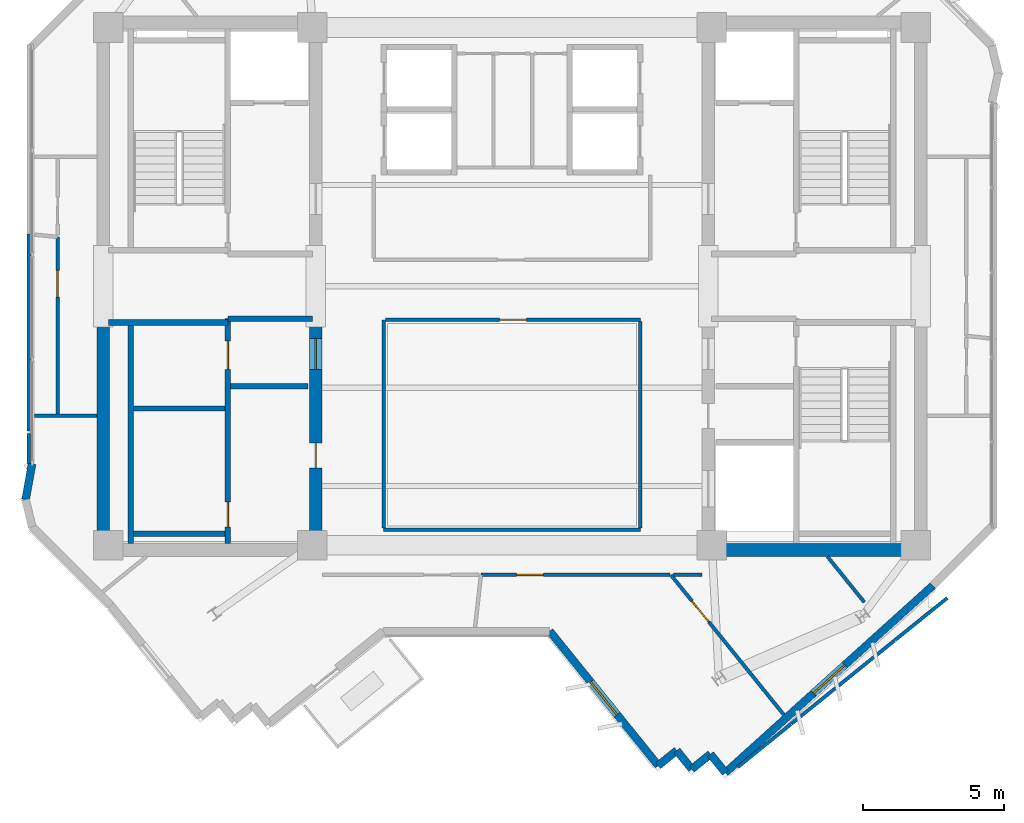
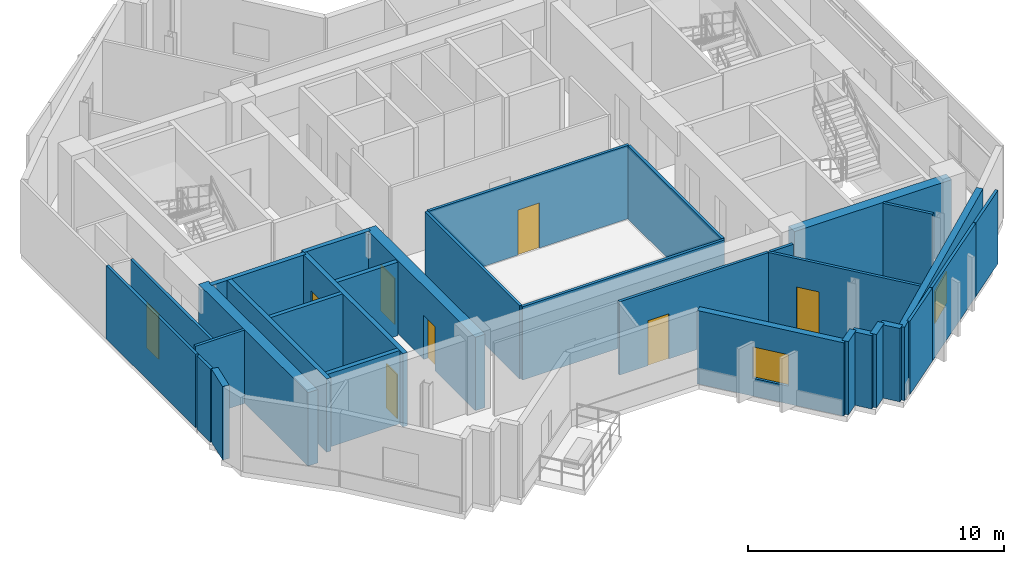
# One storey, part 6 of 11: 32 walls, 8 doors, 2 windows, 10 openings.
"""IFC4 building model written with IfcOpenShell, lengths in metres."""

from ifc_helpers import new_model, si_unit, direction, frame, frame_2d, origin, place, context, subcontext, project, spatial, rectangle, extrude, source, transform, mapped, material, layer, layer_set, type_object, element, fill, save


model = new_model("IFC4")

# Units and contexts
model_context = context("Model", 3, precision=1e-05, world=origin(), true_north=direction((0.0, 1.0)))
body_context = subcontext(model_context, "Body", "Model", "MODEL_VIEW")
ifc_project = project(units=[si_unit("LENGTHUNIT", "METRE"), si_unit("AREAUNIT", "SQUARE_METRE"), si_unit("VOLUMEUNIT", "CUBIC_METRE"), si_unit("PLANEANGLEUNIT", "RADIAN"), si_unit("MASSUNIT", "GRAM", prefix="KILO")], contexts=[model_context])

# Site, building, storey
site_placement = place(None, origin())
site = spatial("IfcSite", under=ifc_project, at=site_placement, CompositionType="ELEMENT")
building_placement = place(site_placement, origin())
building = spatial("IfcBuilding", under=site, at=building_placement, Name="Zahravan Cultural Tower", CompositionType="ELEMENT")
storey_placement = place(building_placement, frame((0.0, 0.0, 287.85009765625)))
storey = spatial("IfcBuildingStorey", under=building, at=storey_placement, Name="L69", CompositionType="ELEMENT", Elevation=287.85009765625)

# Wall, openings, doors
ifc_material_1 = material(Name="Concrete C50/60", Category="concrete")
ifc_layer_1 = layer(ifc_material_1, 0.449951171875)
ifc_layer_set_1 = layer_set([ifc_layer_1], Name="Concrete C50/60")
wall_type_1 = type_object("IfcWallType", Name="CW-SHEAR-450-C50", PredefinedType="SHEAR", material=ifc_layer_set_1)
wall_1_placement = place(storey_placement, frame((29.02490234375, 17.39990234375, 0.0), z_axis=(0.0, 0.0, 1.0), x_axis=(0.0, 1.0, 0.0)))
wall_1 = element("IfcWall", 1, at=wall_1_placement, inside=storey, type_object=wall_type_1, Name="L69 Core Shear Wall CW-W-ES-L69", PredefinedType="SHEAR", context=body_context, shape_type="SweptSolid", body=[
    extrude(rectangle(XDim=8.550048828125, YDim=0.449951171875, at=frame_2d((4.27490234375, 0.0))), origin(), (0.0, 0.0, 1.0), 3.5),
])
opening_1_placement = place(wall_1_placement, frame((6.64990234375, 0.0, 0.0)))
opening_1 = element("IfcOpeningElement", 2, at=opening_1_placement, cuts=wall_1, Name="Opening D-L69-08", PredefinedType="OPENING", context=body_context, shape_type="SweptSolid", body=[
    extrude(rectangle(XDim=1.10009765625, YDim=2.199951171875, at=frame_2d((0.550048828125, 1.10009765625))), frame((0.0, 0.23486328125, 0.0), z_axis=(0.0, -1.0, 0.0), x_axis=(1.0, 0.0, 0.0)), (0.0, 0.0, 1.0), 0.469970703125),
])
opening_2_placement = place(wall_1_placement, frame((3.14990234375, 0.0, 0.0)))
opening_2 = element("IfcOpeningElement", 3, at=opening_2_placement, cuts=wall_1, Name="Opening D-L69-10", PredefinedType="OPENING", context=body_context, shape_type="SweptSolid", body=[
    extrude(rectangle(XDim=0.8798828125, YDim=2.10009765625, at=frame_2d((0.43994140625, 1.050048828125))), frame((0.0, 0.23486328125, 0.0), z_axis=(0.0, -1.0, 0.0), x_axis=(1.0, 0.0, 0.0)), (0.0, 0.0, 1.0), 0.469970703125),
])
ifc_material_2 = material(Name="Steel ASTM A572 Grade 50", Category="steel")
door_type_1 = type_object("IfcDoorType", Name="DR-LOBBY-1100", OperationType="NOTDEFINED", PredefinedType="DOOR", material=ifc_material_2)
shared_shape_1 = source(origin(), body_context, "Body", "SweptSolid", [
    extrude(rectangle(XDim=1.10009765625, YDim=2.199951171875, at=frame_2d((0.550048828125, 1.10009765625))), frame((0.0, 0.02490234375, 0.0), z_axis=(0.0, -1.0, 0.0), x_axis=(1.0, 0.0, 0.0)), (0.0, 0.0, 1.0), 0.050048828125),
])
door_1_placement = place(opening_1_placement, origin())
door_1 = element("IfcDoor", 4, at=door_1_placement, inside=storey, type_object=door_type_1, Name="L69 Door D-L69-08", OperationType="SINGLE_SWING_LEFT", OverallHeight=2.199951171875, OverallWidth=1.10009765625, PredefinedType="DOOR", context=body_context, shape_type="MappedRepresentation", body=[
    mapped(shared_shape_1, transform((0.0, 0.0, 0.0), x_axis=(1.0, 0.0, 0.0), y_axis=(0.0, 1.0, 0.0), z_axis=(0.0, 0.0, 1.0), scale=1.0)),
])
fill(opening_1, door_1)
door_type_2 = type_object("IfcDoorType", Name="DR-SVC-880", OperationType="NOTDEFINED", PredefinedType="DOOR", material=ifc_material_2)
shared_shape_2 = source(origin(), body_context, "Body", "SweptSolid", [
    extrude(rectangle(XDim=0.8798828125, YDim=2.10009765625, at=frame_2d((0.43994140625, 1.050048828125))), frame((0.0, 0.02490234375, 0.0), z_axis=(0.0, -1.0, 0.0), x_axis=(1.0, 0.0, 0.0)), (0.0, 0.0, 1.0), 0.050048828125),
])
door_2_placement = place(opening_2_placement, origin())
door_2 = element("IfcDoor", 5, at=door_2_placement, inside=storey, type_object=door_type_2, Name="L69 Door D-L69-10", OperationType="SINGLE_SWING_LEFT", OverallHeight=2.10009765625, OverallWidth=0.8798828125, PredefinedType="DOOR", context=body_context, shape_type="MappedRepresentation", body=[
    mapped(shared_shape_2, transform((0.0, 0.0, 0.0), x_axis=(1.0, 0.0, 0.0), y_axis=(0.0, 1.0, 0.0), z_axis=(0.0, 0.0, 1.0), scale=1.0)),
])
fill(opening_2, door_2)

# Wall, opening, window
ifc_material_3 = material(Name="Precast concrete C40/50", Category="concrete")
ifc_layer_2 = layer(ifc_material_3, 0.280029296875)
ifc_layer_set_2 = layer_set([ifc_layer_2], Name="Precast concrete C40/50")
wall_type_2 = type_object("IfcWallType", Name="EW-TC-280", PredefinedType="SOLIDWALL", material=ifc_layer_set_2)
wall_2_placement = place(storey_placement, frame((50.9638671875, 16.36181640625, 0.0), z_axis=(0.0, 0.0, 1.0), x_axis=(-0.742587457262, -0.669749108486, 0.0)))
wall_2 = element("IfcWall", 6, at=wall_2_placement, inside=storey, type_object=wall_type_2, Name="L69 Exterior Masonry Frame Wall 19", PredefinedType="SOLIDWALL", context=body_context, shape_type="SweptSolid", body=[
    extrude(rectangle(XDim=9.934814453125, YDim=0.280029296875, at=frame_2d((4.96728515625, 0.0))), origin(), (0.0, 0.0, 1.0), 3.5),
])
opening_3_placement = place(wall_2_placement, frame((4.217041015625, 0.0, 0.85009765625)))
opening_3 = element("IfcOpeningElement", 7, at=opening_3_placement, cuts=wall_2, Name="Opening WN-03", PredefinedType="OPENING", context=body_context, shape_type="SweptSolid", body=[
    extrude(rectangle(XDim=1.5, YDim=1.5, at=frame_2d((0.75, 0.75))), frame((0.0, 0.14990234375, 0.0), z_axis=(0.0, -1.0, 0.0), x_axis=(1.0, 0.0, 0.0)), (0.0, 0.0, 1.0), 0.300048828125),
])
ifc_material_4 = material(Name="Low-E solar-control double glazing", Category="glass")
window_type = type_object("IfcWindowType", Name="WN-REC-1500X1500", PartitioningType="SINGLE_PANEL", PredefinedType="WINDOW", material=ifc_material_4)
shared_shape_3 = source(origin(), body_context, "Body", "SweptSolid", [
    extrude(rectangle(XDim=1.5, YDim=1.5, at=frame_2d((0.75, 0.75))), frame((0.0, 0.030029296875, 0.0), z_axis=(0.0, -1.0, 0.0), x_axis=(1.0, 0.0, 0.0)), (0.0, 0.0, 1.0), 0.06005859375),
])
window_1_placement = place(opening_3_placement, origin())
window_1 = element("IfcWindow", 8, at=window_1_placement, inside=storey, type_object=window_type, Name="L69 Recessed Solar Window 06", OverallHeight=1.5, OverallWidth=1.5, PartitioningType="SINGLE_PANEL", PredefinedType="WINDOW", context=body_context, shape_type="MappedRepresentation", body=[
    mapped(shared_shape_3, transform((0.0, 0.0, 0.0), x_axis=(1.0, 0.0, 0.0), y_axis=(0.0, 1.0, 0.0), z_axis=(0.0, 0.0, 1.0), scale=1.0)),
])
fill(opening_3, window_1)

wall_3_placement = place(storey_placement, frame((41.19580078125, 9.962646484375, 0.0), z_axis=(0.0, 0.0, 1.0), x_axis=(-0.628194566809, 0.778056287316, 0.0)))
wall_3 = element("IfcWall", 9, at=wall_3_placement, inside=storey, type_object=wall_type_2, Name="L69 Exterior Masonry Frame Wall 24", PredefinedType="SOLIDWALL", context=body_context, shape_type="SweptSolid", body=[
    extrude(rectangle(XDim=6.14013671875, YDim=0.280029296875, at=frame_2d((3.070068359375, 0.0))), origin(), (0.0, 0.0, 1.0), 3.5),
])
opening_4_placement = place(wall_3_placement, frame((2.320068359375, 0.0, 0.85009765625)))
opening_4 = element("IfcOpeningElement", 10, at=opening_4_placement, cuts=wall_3, Name="Opening WN-03", PredefinedType="OPENING", context=body_context, shape_type="SweptSolid", body=[
    extrude(rectangle(XDim=1.5, YDim=1.5, at=frame_2d((0.75, 0.75))), frame((0.0, 0.14990234375, 0.0), z_axis=(0.0, -1.0, 0.0), x_axis=(1.0, 0.0, 0.0)), (0.0, 0.0, 1.0), 0.300048828125),
])
window_2_placement = place(opening_4_placement, origin())
window_2 = element("IfcWindow", 11, at=window_2_placement, inside=storey, type_object=window_type, Name="L69 Recessed Solar Window 07", OverallHeight=1.5, OverallWidth=1.5, PartitioningType="SINGLE_PANEL", PredefinedType="WINDOW", context=body_context, shape_type="MappedRepresentation", body=[
    mapped(shared_shape_3, transform((0.0, 0.0, 0.0), x_axis=(1.0, 0.0, 0.0), y_axis=(0.0, 1.0, 0.0), z_axis=(0.0, 0.0, 1.0), scale=1.0)),
])
fill(opening_4, window_2)

# Wall, opening, door
ifc_material_5 = material(Name="Gypsum plasterboard partition")
ifc_layer_3 = layer(ifc_material_5, 0.125)
ifc_layer_set_3 = layer_set([ifc_layer_3], Name="Gypsum plasterboard partition")
wall_type_3 = type_object("IfcWallType", Name="W-PART-125", PredefinedType="PARTITIONING", material=ifc_layer_set_3)
wall_4_placement = place(storey_placement, frame((19.85009765625, 28.753662109375, 0.0), z_axis=(0.0, 0.0, 1.0), x_axis=(0.000153721992, -0.999999988185, 0.0)))
wall_4 = element("IfcWall", 12, at=wall_4_placement, inside=storey, type_object=wall_type_3, Name="L69 Interior Wall 049", PredefinedType="PARTITIONING", context=body_context, shape_type="SweptSolid", body=[
    extrude(rectangle(XDim=6.352783203125, YDim=0.125, at=frame_2d((3.17626953125, 0.0))), origin(), (0.0, 0.0, 1.0), 3.5),
])
opening_5_placement = place(wall_4_placement, frame((1.188720703125, 0.0, 0.0)))
opening_5 = element("IfcOpeningElement", 13, at=opening_5_placement, cuts=wall_4, Name="Opening D-L69-21", PredefinedType="OPENING", context=body_context, shape_type="SweptSolid", body=[
    extrude(rectangle(XDim=0.949951171875, YDim=2.14990234375, at=frame_2d((0.47509765625, 1.074951171875))), frame((0.0, 0.072509765625, 0.0), z_axis=(0.0, -1.0, 0.0), x_axis=(1.0, 0.0, 0.0)), (0.0, 0.0, 1.0), 0.14501953125),
])
ifc_material_6 = material(Name="Anodised bronze-aluminium mullion", Category="aluminium")
door_type_3 = type_object("IfcDoorType", Name="DR-ROOM-950", OperationType="NOTDEFINED", PredefinedType="DOOR", material=ifc_material_6)
shared_shape_4 = source(origin(), body_context, "Body", "SweptSolid", [
    extrude(rectangle(XDim=0.949951171875, YDim=2.14990234375, at=frame_2d((0.47509765625, 1.074951171875))), frame((0.0, 0.02490234375, 0.0), z_axis=(0.0, -1.0, 0.0), x_axis=(1.0, 0.0, 0.0)), (0.0, 0.0, 1.0), 0.050048828125),
])
door_3_placement = place(opening_5_placement, origin())
door_3 = element("IfcDoor", 14, at=door_3_placement, inside=storey, type_object=door_type_3, Name="L69 Door D-L69-21", OperationType="SINGLE_SWING_RIGHT", OverallHeight=2.14990234375, OverallWidth=0.949951171875, PredefinedType="DOOR", context=body_context, shape_type="MappedRepresentation", body=[
    mapped(shared_shape_4, transform((0.0, 0.0, 0.0), x_axis=(1.0, 0.0, 0.0), y_axis=(0.0, 1.0, 0.0), z_axis=(0.0, 0.0, 1.0), scale=1.0)),
])
fill(opening_5, door_3)

wall_5_placement = place(storey_placement, frame((45.659423828125, 11.772705078125, 0.0), z_axis=(0.0, 0.0, 1.0), x_axis=(-0.628191114615, 0.778059074569, 0.0)))
wall_5 = element("IfcWall", 15, at=wall_5_placement, inside=storey, type_object=wall_type_3, Name="L69 Interior Wall 075", PredefinedType="PARTITIONING", context=body_context, shape_type="SweptSolid", body=[
    extrude(rectangle(XDim=6.38427734375, YDim=0.125, at=frame_2d((3.192138671875, 0.0))), origin(), (0.0, 0.0, 1.0), 3.5),
])
opening_6_placement = place(wall_5_placement, frame((4.238525390625, 0.0, 0.0)))
opening_6 = element("IfcOpeningElement", 16, at=opening_6_placement, cuts=wall_5, Name="Opening D-L69-26", PredefinedType="OPENING", context=body_context, shape_type="SweptSolid", body=[
    extrude(rectangle(XDim=0.949951171875, YDim=2.14990234375, at=frame_2d((0.47509765625, 1.074951171875))), frame((0.0, 0.072509765625, 0.0), z_axis=(0.0, -1.0, 0.0), x_axis=(1.0, 0.0, 0.0)), (0.0, 0.0, 1.0), 0.14501953125),
])
door_4_placement = place(opening_6_placement, origin())
door_4 = element("IfcDoor", 17, at=door_4_placement, inside=storey, type_object=door_type_3, Name="L69 Door D-L69-26", OperationType="SINGLE_SWING_LEFT", OverallHeight=2.14990234375, OverallWidth=0.949951171875, PredefinedType="DOOR", context=body_context, shape_type="MappedRepresentation", body=[
    mapped(shared_shape_4, transform((0.0, 0.0, 0.0), x_axis=(1.0, 0.0, 0.0), y_axis=(0.0, 1.0, 0.0), z_axis=(0.0, 0.0, 1.0), scale=1.0)),
])
fill(opening_6, door_4)

wall_6_placement = place(storey_placement, frame((34.896240234375, 16.739990234375, 0.0), z_axis=(0.0, 0.0, 1.0), x_axis=(1.0, 0.0, 0.0)))
wall_6 = element("IfcWall", 18, at=wall_6_placement, inside=storey, type_object=wall_type_3, Name="L69 Interior Wall 083", PredefinedType="PARTITIONING", context=body_context, shape_type="SweptSolid", body=[
    extrude(rectangle(XDim=6.72705078125, YDim=0.125, at=frame_2d((3.363525390625, 0.0))), origin(), (0.0, 0.0, 1.0), 3.5),
])
opening_7_placement = place(wall_6_placement, frame((1.27099609375, 0.0, 0.0)))
opening_7 = element("IfcOpeningElement", 19, at=opening_7_placement, cuts=wall_6, Name="Opening D-L69-23", PredefinedType="OPENING", context=body_context, shape_type="SweptSolid", body=[
    extrude(rectangle(XDim=0.949951171875, YDim=2.14990234375, at=frame_2d((0.47509765625, 1.074951171875))), frame((0.0, 0.072509765625, 0.0), z_axis=(0.0, -1.0, 0.0), x_axis=(1.0, 0.0, 0.0)), (0.0, 0.0, 1.0), 0.14501953125),
])
door_5_placement = place(opening_7_placement, origin())
door_5 = element("IfcDoor", 20, at=door_5_placement, inside=storey, type_object=door_type_3, Name="L69 Door D-L69-23", OperationType="SINGLE_SWING_RIGHT", OverallHeight=2.14990234375, OverallWidth=0.949951171875, PredefinedType="DOOR", context=body_context, shape_type="MappedRepresentation", body=[
    mapped(shared_shape_4, transform((0.0, 0.0, 0.0), x_axis=(1.0, 0.0, 0.0), y_axis=(0.0, 1.0, 0.0), z_axis=(0.0, 0.0, 1.0), scale=1.0)),
])
fill(opening_7, door_5)

wall_7_placement = place(storey_placement, frame((31.507568359375, 25.81005859375, 0.0), z_axis=(0.0, 0.0, 1.0), x_axis=(1.0, 0.0, 0.0)))
wall_7 = element("IfcWall", 21, at=wall_7_placement, inside=storey, type_object=wall_type_3, Name="L69 Interior Wall 090", PredefinedType="PARTITIONING", context=body_context, shape_type="SweptSolid", body=[
    extrude(rectangle(XDim=9.052490234375, YDim=0.125, at=frame_2d((4.5263671875, 0.0))), origin(), (0.0, 0.0, 1.0), 3.5),
])
opening_8_placement = place(wall_7_placement, frame((4.05126953125, 0.0, 0.0)))
opening_8 = element("IfcOpeningElement", 22, at=opening_8_placement, cuts=wall_7, Name="Opening D-L69-12", PredefinedType="OPENING", context=body_context, shape_type="SweptSolid", body=[
    extrude(rectangle(XDim=0.949951171875, YDim=2.14990234375, at=frame_2d((0.47509765625, 1.074951171875))), frame((0.0, 0.072509765625, 0.0), z_axis=(0.0, -1.0, 0.0), x_axis=(1.0, 0.0, 0.0)), (0.0, 0.0, 1.0), 0.14501953125),
])
door_6_placement = place(opening_8_placement, origin())
door_6 = element("IfcDoor", 23, at=door_6_placement, inside=storey, type_object=door_type_3, Name="L69 Door D-L69-12", OperationType="SINGLE_SWING_LEFT", OverallHeight=2.14990234375, OverallWidth=0.949951171875, PredefinedType="DOOR", context=body_context, shape_type="MappedRepresentation", body=[
    mapped(shared_shape_4, transform((0.0, 0.0, 0.0), x_axis=(1.0, 0.0, 0.0), y_axis=(0.0, 1.0, 0.0), z_axis=(0.0, 0.0, 1.0), scale=1.0)),
])
fill(opening_8, door_6)

# Wall, openings, doors
ifc_material_7 = material(Name="Concrete C45/55", Category="concrete")
ifc_layer_4 = layer(ifc_material_7, 0.199951171875)
ifc_layer_set_4 = layer_set([ifc_layer_4], Name="Concrete C45/55")
wall_type_4 = type_object("IfcWallType", Name="W-SHAFT-200", PredefinedType="SOLIDWALL", material=ifc_layer_set_4)
wall_8_placement = place(storey_placement, frame((25.89990234375, 17.85009765625, 0.0), z_axis=(0.0, 0.0, 1.0), x_axis=(0.0, 1.0, 0.0)))
wall_8 = element("IfcWall", 24, at=wall_8_placement, inside=storey, type_object=wall_type_4, Name="L69 Interior Wall 005", PredefinedType="SOLIDWALL", context=body_context, shape_type="SweptSolid", body=[
    extrude(rectangle(XDim=8.0, YDim=0.199951171875, at=frame_2d((4.0, 0.0))), origin(), (0.0, 0.0, 1.0), 3.5),
])
opening_9_placement = place(wall_8_placement, frame((6.199951171875, 0.0, 0.0)))
opening_9 = element("IfcOpeningElement", 25, at=opening_9_placement, cuts=wall_8, Name="Opening D-L69-04", PredefinedType="OPENING", context=body_context, shape_type="SweptSolid", body=[
    extrude(rectangle(XDim=1.0, YDim=2.14990234375, at=frame_2d((0.5, 1.074951171875))), frame((0.0, 0.10986328125, 0.0), z_axis=(0.0, -1.0, 0.0), x_axis=(1.0, 0.0, 0.0)), (0.0, 0.0, 1.0), 0.219970703125),
])
opening_10_placement = place(wall_8_placement, frame((0.60009765625, 0.0, 0.0)))
opening_10 = element("IfcOpeningElement", 26, at=opening_10_placement, cuts=wall_8, Name="Opening D-L69-05", PredefinedType="OPENING", context=body_context, shape_type="SweptSolid", body=[
    extrude(rectangle(XDim=0.8798828125, YDim=2.10009765625, at=frame_2d((0.43994140625, 1.050048828125))), frame((0.0, 0.10986328125, 0.0), z_axis=(0.0, -1.0, 0.0), x_axis=(1.0, 0.0, 0.0)), (0.0, 0.0, 1.0), 0.219970703125),
])
door_7_placement = place(opening_10_placement, origin())
door_7 = element("IfcDoor", 27, at=door_7_placement, inside=storey, type_object=door_type_2, Name="L69 Door D-L69-05", OperationType="SINGLE_SWING_RIGHT", OverallHeight=2.10009765625, OverallWidth=0.8798828125, PredefinedType="DOOR", context=body_context, shape_type="MappedRepresentation", body=[
    mapped(shared_shape_2, transform((0.0, 0.0, 0.0), x_axis=(1.0, 0.0, 0.0), y_axis=(0.0, 1.0, 0.0), z_axis=(0.0, 0.0, 1.0), scale=1.0)),
])
fill(opening_10, door_7)
door_type_4 = type_object("IfcDoorType", Name="DR-COMP-1000", OperationType="NOTDEFINED", PredefinedType="DOOR", material=ifc_material_2)
shared_shape_5 = source(origin(), body_context, "Body", "SweptSolid", [
    extrude(rectangle(XDim=1.0, YDim=2.14990234375, at=frame_2d((0.5, 1.074951171875))), frame((0.0, 0.02490234375, 0.0), z_axis=(0.0, -1.0, 0.0), x_axis=(1.0, 0.0, 0.0)), (0.0, 0.0, 1.0), 0.050048828125),
])
door_8_placement = place(opening_9_placement, origin())
door_8 = element("IfcDoor", 28, at=door_8_placement, inside=storey, type_object=door_type_4, Name="L69 Door D-L69-04", OperationType="SINGLE_SWING_LEFT", OverallHeight=2.14990234375, OverallWidth=1.0, PredefinedType="DOOR", context=body_context, shape_type="MappedRepresentation", body=[
    mapped(shared_shape_5, transform((0.0, 0.0, 0.0), x_axis=(1.0, 0.0, 0.0), y_axis=(0.0, 1.0, 0.0), z_axis=(0.0, 0.0, 1.0), scale=1.0)),
])
fill(opening_9, door_8)

# Walls
shared_shape_6 = source(origin(), body_context, "Body", "SweptSolid", [
    extrude(rectangle(XDim=8.550048828125, YDim=0.449951171875, at=frame_2d((4.27490234375, 0.0))), origin(), (0.0, 0.0, 1.0), 3.5),
])
wall_9_placement = place(storey_placement, frame((21.47509765625, 17.39990234375, 0.0), z_axis=(0.0, 0.0, 1.0), x_axis=(0.0, 1.0, 0.0)))
element("IfcWall", 29, at=wall_9_placement, inside=storey, type_object=wall_type_1, Name="L69 Core Shear Wall CW-W-WS-L69", PredefinedType="SHEAR", context=body_context, shape_type="MappedRepresentation", body=[
    mapped(shared_shape_6, transform((0.0, 0.0, 0.0), x_axis=(1.0, 0.0, 0.0), y_axis=(0.0, 1.0, 0.0), z_axis=(0.0, 0.0, 1.0), scale=1.0)),
])
shared_shape_7 = source(origin(), body_context, "Body", "SweptSolid", [
    extrude(rectangle(XDim=7.10009765625, YDim=0.449951171875, at=frame_2d((3.550048828125, 0.0))), origin(), (0.0, 0.0, 1.0), 3.5),
])
wall_10_placement = place(storey_placement, frame((43.199951171875, 17.625, 0.0), z_axis=(0.0, 0.0, 1.0), x_axis=(1.0, 0.0, 0.0)))
element("IfcWall", 30, at=wall_10_placement, inside=storey, type_object=wall_type_1, Name="L69 Core Shear Wall CW-E-S-L69", PredefinedType="SHEAR", context=body_context, shape_type="MappedRepresentation", body=[
    mapped(shared_shape_7, transform((0.0, 0.0, 0.0), x_axis=(1.0, 0.0, 0.0), y_axis=(0.0, 1.0, 0.0), z_axis=(0.0, 0.0, 1.0), scale=1.0)),
])
shared_shape_8 = source(origin(), body_context, "Body", "SweptSolid", [
    extrude(rectangle(XDim=0.85009765625, YDim=0.280029296875, at=frame_2d((0.425048828125, 0.0))), origin(), (0.0, 0.0, 1.0), 3.5),
])
for number, where, z_axis, x_axis, name in (
    (31, (43.58642578125, 9.7080078125, 0.0), (0.0, 0.0, 1.0), (-0.628156579423, 0.778086956405, 0.0), "L69 Exterior Masonry Frame Wall 20"),
    (32, (43.052490234375, 10.369384765625, 0.0), (0.0, 0.0, 1.0), (-0.777946579095, -0.628330422687, 0.0), "L69 Exterior Masonry Frame Wall 21"),
    (33, (42.39111328125, 9.835205078125, 0.0), (0.0, 0.0, 1.0), (-0.628156579423, 0.778086956405, 0.0), "L69 Exterior Masonry Frame Wall 22"),
    (34, (41.857177734375, 10.49658203125, 0.0), (0.0, 0.0, 1.0), (-0.778086956405, -0.628156579423, 0.0), "L69 Exterior Masonry Frame Wall 23"),
):
    element("IfcWall", number, at=place(storey_placement, frame(where, z_axis=z_axis, x_axis=x_axis)), inside=storey, type_object=wall_type_2, Name=name, PredefinedType="SOLIDWALL", context=body_context, shape_type="MappedRepresentation", body=[
        mapped(shared_shape_8, transform((0.0, 0.0, 0.0), x_axis=(1.0, 0.0, 0.0), y_axis=(0.0, 1.0, 0.0), z_axis=(0.0, 0.0, 1.0), scale=1.0)),
    ])
shared_shape_9 = source(origin(), body_context, "Body", "SweptSolid", [
    extrude(rectangle(XDim=1.300537109375, YDim=0.280029296875, at=frame_2d((0.650390625, 0.0))), origin(), (0.0, 0.0, 1.0), 3.5),
])
wall_11_placement = place(storey_placement, frame((18.7080078125, 19.41357421875, 0.0), z_axis=(0.0, 0.0, 1.0), x_axis=(0.178323782993, 0.983971863632, 0.0)))
element("IfcWall", 35, at=wall_11_placement, inside=storey, type_object=wall_type_2, Name="L69 Exterior Masonry Frame Wall 34", PredefinedType="SOLIDWALL", context=body_context, shape_type="MappedRepresentation", body=[
    mapped(shared_shape_9, transform((0.0, 0.0, 0.0), x_axis=(1.0, 0.0, 0.0), y_axis=(0.0, 1.0, 0.0), z_axis=(0.0, 0.0, 1.0), scale=1.0)),
])
shared_shape_10 = source(origin(), body_context, "Body", "SweptSolid", [
    extrude(rectangle(XDim=7.869873046875, YDim=0.199951171875, at=frame_2d((3.93505859375, 0.0))), origin(), (0.0, 0.0, 1.0), 3.5),
])
wall_12_placement = place(storey_placement, frame((22.449951171875, 17.85009765625, 0.0), z_axis=(0.0, 0.0, 1.0), x_axis=(0.0, 1.0, 0.0)))
element("IfcWall", 36, at=wall_12_placement, inside=storey, type_object=wall_type_4, Name="L69 Interior Wall 001", PredefinedType="SOLIDWALL", context=body_context, shape_type="MappedRepresentation", body=[
    mapped(shared_shape_10, transform((0.0, 0.0, 0.0), x_axis=(1.0, 0.0, 0.0), y_axis=(0.0, 1.0, 0.0), z_axis=(0.0, 0.0, 1.0), scale=1.0)),
])
shared_shape_11 = source(origin(), body_context, "Body", "SweptSolid", [
    extrude(rectangle(XDim=4.25, YDim=0.199951171875, at=frame_2d((2.125, 0.0))), origin(), (0.0, 0.0, 1.0), 3.5),
])
wall_13_placement = place(storey_placement, frame((21.64990234375, 25.715087890625, 0.0), z_axis=(0.0, 0.0, 1.0), x_axis=(1.0, 0.0, 0.0)))
element("IfcWall", 37, at=wall_13_placement, inside=storey, type_object=wall_type_4, Name="L69 Interior Wall 009", PredefinedType="SOLIDWALL", context=body_context, shape_type="MappedRepresentation", body=[
    mapped(shared_shape_11, transform((0.0, 0.0, 0.0), x_axis=(1.0, 0.0, 0.0), y_axis=(0.0, 1.0, 0.0), z_axis=(0.0, 0.0, 1.0), scale=1.0)),
])
shared_shape_12 = source(origin(), body_context, "Body", "SweptSolid", [
    extrude(rectangle(XDim=3.0, YDim=0.199951171875, at=frame_2d((1.5, 0.0))), origin(), (0.0, 0.0, 1.0), 3.5),
])
wall_14_placement = place(storey_placement, frame((25.89990234375, 25.85009765625, 0.0), z_axis=(0.0, 0.0, 1.0), x_axis=(1.0, 0.0, 0.0)))
element("IfcWall", 38, at=wall_14_placement, inside=storey, type_object=wall_type_4, Name="L69 Interior Wall 010", PredefinedType="SOLIDWALL", context=body_context, shape_type="MappedRepresentation", body=[
    mapped(shared_shape_12, transform((0.0, 0.0, 0.0), x_axis=(1.0, 0.0, 0.0), y_axis=(0.0, 1.0, 0.0), z_axis=(0.0, 0.0, 1.0), scale=1.0)),
])
shared_shape_13 = source(origin(), body_context, "Body", "SweptSolid", [
    extrude(rectangle(XDim=3.25, YDim=0.199951171875, at=frame_2d((1.625, 0.0))), origin(), (0.0, 0.0, 1.0), 3.5),
])
wall_15_placement = place(storey_placement, frame((22.550048828125, 18.199951171875, 0.0), z_axis=(0.0, 0.0, 1.0), x_axis=(1.0, 0.0, 0.0)))
element("IfcWall", 39, at=wall_15_placement, inside=storey, type_object=wall_type_4, Name="L69 Interior Wall 019", PredefinedType="SOLIDWALL", context=body_context, shape_type="MappedRepresentation", body=[
    mapped(shared_shape_13, transform((0.0, 0.0, 0.0), x_axis=(1.0, 0.0, 0.0), y_axis=(0.0, 1.0, 0.0), z_axis=(0.0, 0.0, 1.0), scale=1.0)),
])
ifc_layer_5 = layer(ifc_material_5, 0.179931640625)
ifc_layer_set_5 = layer_set([ifc_layer_5], Name="Gypsum plasterboard partition")
wall_type_5 = type_object("IfcWallType", Name="W-COMP-180", PredefinedType="PARTITIONING", material=ifc_layer_set_5)
shared_shape_14 = source(origin(), body_context, "Body", "SweptSolid", [
    extrude(rectangle(XDim=3.25, YDim=0.179931640625, at=frame_2d((1.625, 0.0))), origin(), (0.0, 0.0, 1.0), 3.5),
])
wall_16_placement = place(storey_placement, frame((22.550048828125, 22.64990234375, 0.0), z_axis=(0.0, 0.0, 1.0), x_axis=(1.0, 0.0, 0.0)))
element("IfcWall", 40, at=wall_16_placement, inside=storey, type_object=wall_type_5, Name="L69 Interior Wall 021", PredefinedType="PARTITIONING", context=body_context, shape_type="MappedRepresentation", body=[
    mapped(shared_shape_14, transform((0.0, 0.0, 0.0), x_axis=(1.0, 0.0, 0.0), y_axis=(0.0, 1.0, 0.0), z_axis=(0.0, 0.0, 1.0), scale=1.0)),
])
shared_shape_15 = source(origin(), body_context, "Body", "SweptSolid", [
    extrude(rectangle(XDim=2.75, YDim=0.199951171875, at=frame_2d((1.375, 0.0))), origin(), (0.0, 0.0, 1.0), 3.5),
])
wall_17_placement = place(storey_placement, frame((26.0, 23.449951171875, 0.0), z_axis=(0.0, 0.0, 1.0), x_axis=(1.0, 0.0, 0.0)))
element("IfcWall", 41, at=wall_17_placement, inside=storey, type_object=wall_type_4, Name="L69 Interior Wall 024", PredefinedType="SOLIDWALL", context=body_context, shape_type="MappedRepresentation", body=[
    mapped(shared_shape_15, transform((0.0, 0.0, 0.0), x_axis=(1.0, 0.0, 0.0), y_axis=(0.0, 1.0, 0.0), z_axis=(0.0, 0.0, 1.0), scale=1.0)),
])
shared_shape_16 = source(origin(), body_context, "Body", "SweptSolid", [
    extrude(rectangle(XDim=4.72021484375, YDim=0.125, at=frame_2d((2.360107421875, 0.0))), origin(), (0.0, 0.0, 1.0), 3.5),
])
wall_18_placement = place(storey_placement, frame((49.598388671875, 14.40771484375, 0.0), z_axis=(0.0, 0.0, 1.0), x_axis=(-0.778024801452, -0.628233561922, 0.0)))
element("IfcWall", 42, at=wall_18_placement, inside=storey, type_object=wall_type_3, Name="L69 Interior Wall 074", PredefinedType="PARTITIONING", context=body_context, shape_type="MappedRepresentation", body=[
    mapped(shared_shape_16, transform((0.0, 0.0, 0.0), x_axis=(1.0, 0.0, 0.0), y_axis=(0.0, 1.0, 0.0), z_axis=(0.0, 0.0, 1.0), scale=1.0)),
])
shared_shape_17 = source(origin(), body_context, "Body", "SweptSolid", [
    extrude(rectangle(XDim=2.389892578125, YDim=0.125, at=frame_2d((1.19482421875, 0.0))), origin(), (0.0, 0.0, 1.0), 3.5),
])
wall_19_placement = place(storey_placement, frame((51.473388671875, 15.921630859375, 0.0), z_axis=(0.0, 0.0, 1.0), x_axis=(-0.778010315123, -0.628251501839, 0.0)))
element("IfcWall", 43, at=wall_19_placement, inside=storey, type_object=wall_type_3, Name="L69 Interior Wall 065", PredefinedType="PARTITIONING", context=body_context, shape_type="MappedRepresentation", body=[
    mapped(shared_shape_17, transform((0.0, 0.0, 0.0), x_axis=(1.0, 0.0, 0.0), y_axis=(0.0, 1.0, 0.0), z_axis=(0.0, 0.0, 1.0), scale=1.0)),
])
shared_shape_18 = source(origin(), body_context, "Body", "SweptSolid", [
    extrude(rectangle(XDim=7.402587890625, YDim=0.125, at=frame_2d((3.701171875, 0.0))), origin(), (0.0, 0.0, 1.0), 3.5),
])
wall_20_placement = place(storey_placement, frame((31.43994140625, 18.407470703125, 0.0), z_axis=(0.0, 0.0, 1.0), x_axis=(0.0, 1.0, 0.0)))
element("IfcWall", 44, at=wall_20_placement, inside=storey, type_object=wall_type_3, Name="L69 Interior Wall 089", PredefinedType="PARTITIONING", context=body_context, shape_type="MappedRepresentation", body=[
    mapped(shared_shape_18, transform((0.0, 0.0, 0.0), x_axis=(1.0, 0.0, 0.0), y_axis=(0.0, 1.0, 0.0), z_axis=(0.0, 0.0, 1.0), scale=1.0)),
])
shared_shape_19 = source(origin(), body_context, "Body", "SweptSolid", [
    extrude(rectangle(XDim=7.3349609375, YDim=0.125, at=frame_2d((3.66748046875, 0.0))), origin(), (0.0, 0.0, 1.0), 3.5),
])
wall_21_placement = place(storey_placement, frame((40.56005859375, 25.742431640625, 0.0), z_axis=(0.0, 0.0, 1.0), x_axis=(0.0, -1.0, 0.0)))
element("IfcWall", 45, at=wall_21_placement, inside=storey, type_object=wall_type_3, Name="L69 Interior Wall 091", PredefinedType="PARTITIONING", context=body_context, shape_type="MappedRepresentation", body=[
    mapped(shared_shape_19, transform((0.0, 0.0, 0.0), x_axis=(1.0, 0.0, 0.0), y_axis=(0.0, 1.0, 0.0), z_axis=(0.0, 0.0, 1.0), scale=1.0)),
])
shared_shape_20 = source(origin(), body_context, "Body", "SweptSolid", [
    extrude(rectangle(XDim=2.215087890625, YDim=0.125, at=frame_2d((1.107421875, 0.0))), origin(), (0.0, 0.0, 1.0), 3.5),
])
wall_22_placement = place(storey_placement, frame((19.030029296875, 22.401611328125, 0.0), z_axis=(0.0, 0.0, 1.0), x_axis=(0.999999702379, -0.000771519665, 0.0)))
element("IfcWall", 46, at=wall_22_placement, inside=storey, type_object=wall_type_3, Name="L69 Interior Wall 050", PredefinedType="PARTITIONING", context=body_context, shape_type="MappedRepresentation", body=[
    mapped(shared_shape_20, transform((0.0, 0.0, 0.0), x_axis=(1.0, 0.0, 0.0), y_axis=(0.0, 1.0, 0.0), z_axis=(0.0, 0.0, 1.0), scale=1.0)),
])
shared_shape_21 = source(origin(), body_context, "Body", "SweptSolid", [
    extrude(rectangle(XDim=1.065673828125, YDim=0.125, at=frame_2d((0.53271484375, 0.0))), origin(), (0.0, 0.0, 1.0), 3.5),
])
wall_23_placement = place(storey_placement, frame((18.820068359375, 20.710205078125, 0.0), z_axis=(0.0, 0.0, 1.0), x_axis=(0.0, 1.0, 0.0)))
element("IfcWall", 47, at=wall_23_placement, inside=storey, type_object=wall_type_3, Name="L69 Interior Wall 052", PredefinedType="PARTITIONING", context=body_context, shape_type="MappedRepresentation", body=[
    mapped(shared_shape_21, transform((0.0, 0.0, 0.0), x_axis=(1.0, 0.0, 0.0), y_axis=(0.0, 1.0, 0.0), z_axis=(0.0, 0.0, 1.0), scale=1.0)),
])
shared_shape_22 = source(origin(), body_context, "Body", "SweptSolid", [
    extrude(rectangle(XDim=6.99853515625, YDim=0.125, at=frame_2d((3.499267578125, 0.0))), origin(), (0.0, 0.0, 1.0), 3.5),
])
wall_24_placement = place(storey_placement, frame((18.820068359375, 21.859619140625, 0.0), z_axis=(0.0, 0.0, 1.0), x_axis=(0.0, 1.0, 0.0)))
element("IfcWall", 48, at=wall_24_placement, inside=storey, type_object=wall_type_3, Name="L69 Interior Wall 053", PredefinedType="PARTITIONING", context=body_context, shape_type="MappedRepresentation", body=[
    mapped(shared_shape_22, transform((0.0, 0.0, 0.0), x_axis=(1.0, 0.0, 0.0), y_axis=(0.0, 1.0, 0.0), z_axis=(0.0, 0.0, 1.0), scale=1.0)),
])
shared_shape_23 = source(origin(), body_context, "Body", "SweptSolid", [
    extrude(rectangle(XDim=2.08935546875, YDim=0.125, at=frame_2d((1.044677734375, 0.0))), origin(), (0.0, 0.0, 1.0), 3.5),
])
wall_25_placement = place(storey_placement, frame((48.524658203125, 15.769287109375, 0.0), z_axis=(0.0, 0.0, 1.0), x_axis=(-0.628165745158, 0.778079556735, 0.0)))
element("IfcWall", 49, at=wall_25_placement, inside=storey, type_object=wall_type_3, Name="L69 Interior Wall 061", PredefinedType="PARTITIONING", context=body_context, shape_type="MappedRepresentation", body=[
    mapped(shared_shape_23, transform((0.0, 0.0, 0.0), x_axis=(1.0, 0.0, 0.0), y_axis=(0.0, 1.0, 0.0), z_axis=(0.0, 0.0, 1.0), scale=1.0)),
])
shared_shape_24 = source(origin(), body_context, "Body", "SweptSolid", [
    extrude(rectangle(XDim=1.011962890625, YDim=0.125, at=frame_2d((0.505859375, 0.0))), origin(), (0.0, 0.0, 1.0), 3.5),
])
wall_26_placement = place(storey_placement, frame((41.735595703125, 16.739990234375, 0.0), z_axis=(0.0, 0.0, 1.0), x_axis=(0.999999738083, 0.000723763381, 0.0)))
element("IfcWall", 50, at=wall_26_placement, inside=storey, type_object=wall_type_3, Name="L69 Interior Wall 076", PredefinedType="PARTITIONING", context=body_context, shape_type="MappedRepresentation", body=[
    mapped(shared_shape_24, transform((0.0, 0.0, 0.0), x_axis=(1.0, 0.0, 0.0), y_axis=(0.0, 1.0, 0.0), z_axis=(0.0, 0.0, 1.0), scale=1.0)),
])
shared_shape_25 = source(origin(), body_context, "Body", "SweptSolid", [
    extrude(rectangle(XDim=2.43359375, YDim=0.125, at=frame_2d((1.216796875, 0.0))), origin(), (0.0, 0.0, 1.0), 3.5),
])
wall_27_placement = place(storey_placement, frame((45.910400390625, 11.429931640625, 0.0), z_axis=(0.0, 0.0, 1.0), x_axis=(-0.778061870062, -0.628187652183, 0.0)))
element("IfcWall", 51, at=wall_27_placement, inside=storey, type_object=wall_type_3, Name="L69 Interior Wall 084", PredefinedType="PARTITIONING", context=body_context, shape_type="MappedRepresentation", body=[
    mapped(shared_shape_25, transform((0.0, 0.0, 0.0), x_axis=(1.0, 0.0, 0.0), y_axis=(0.0, 1.0, 0.0), z_axis=(0.0, 0.0, 1.0), scale=1.0)),
])
shared_shape_26 = source(origin(), body_context, "Body", "SweptSolid", [
    extrude(rectangle(XDim=9.1201171875, YDim=0.125, at=frame_2d((4.56005859375, 0.0))), origin(), (0.0, 0.0, 1.0), 3.5),
])
wall_28_placement = place(storey_placement, frame((40.56005859375, 18.340087890625, 0.0), z_axis=(0.0, 0.0, 1.0), x_axis=(-1.0, 0.0, 0.0)))
element("IfcWall", 52, at=wall_28_placement, inside=storey, type_object=wall_type_3, Name="L69 Interior Wall 088", PredefinedType="PARTITIONING", context=body_context, shape_type="MappedRepresentation", body=[
    mapped(shared_shape_26, transform((0.0, 0.0, 0.0), x_axis=(1.0, 0.0, 0.0), y_axis=(0.0, 1.0, 0.0), z_axis=(0.0, 0.0, 1.0), scale=1.0)),
])

save(model, "model.ifc")
